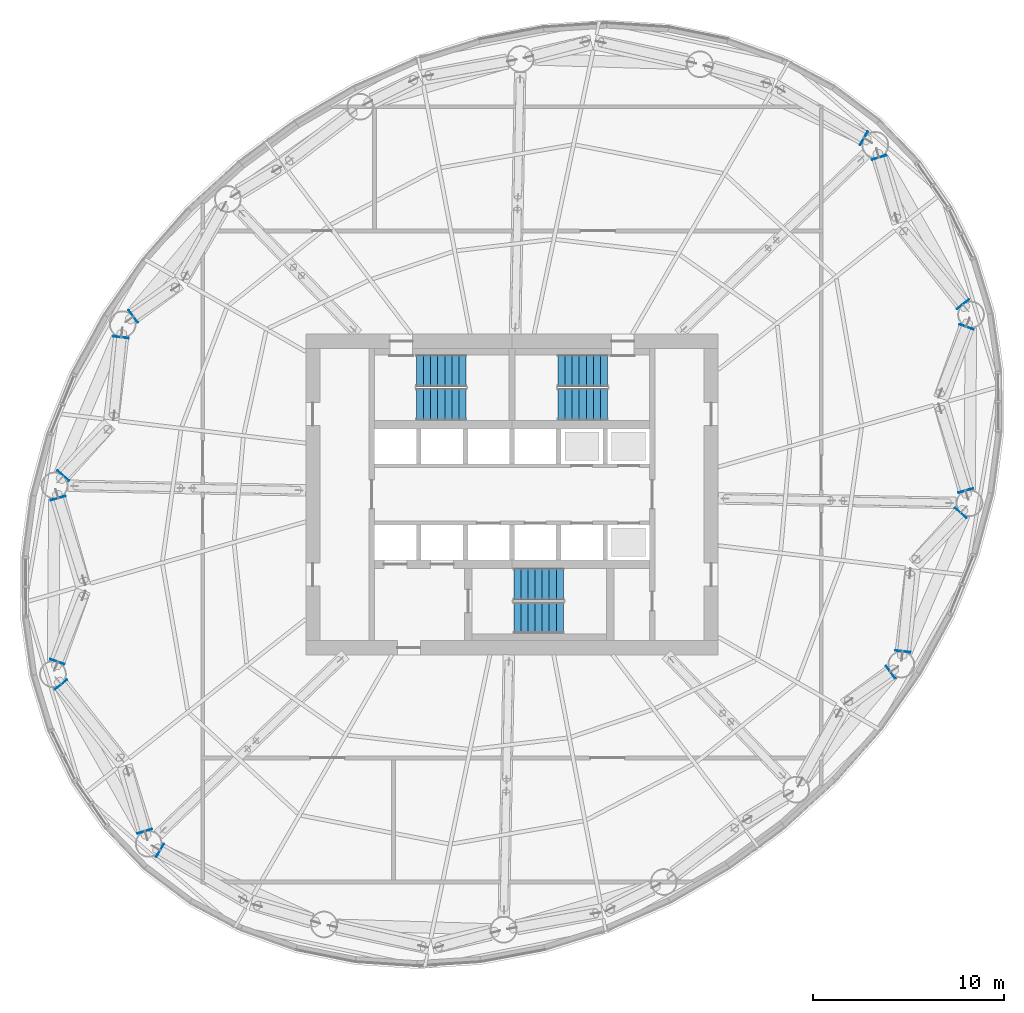
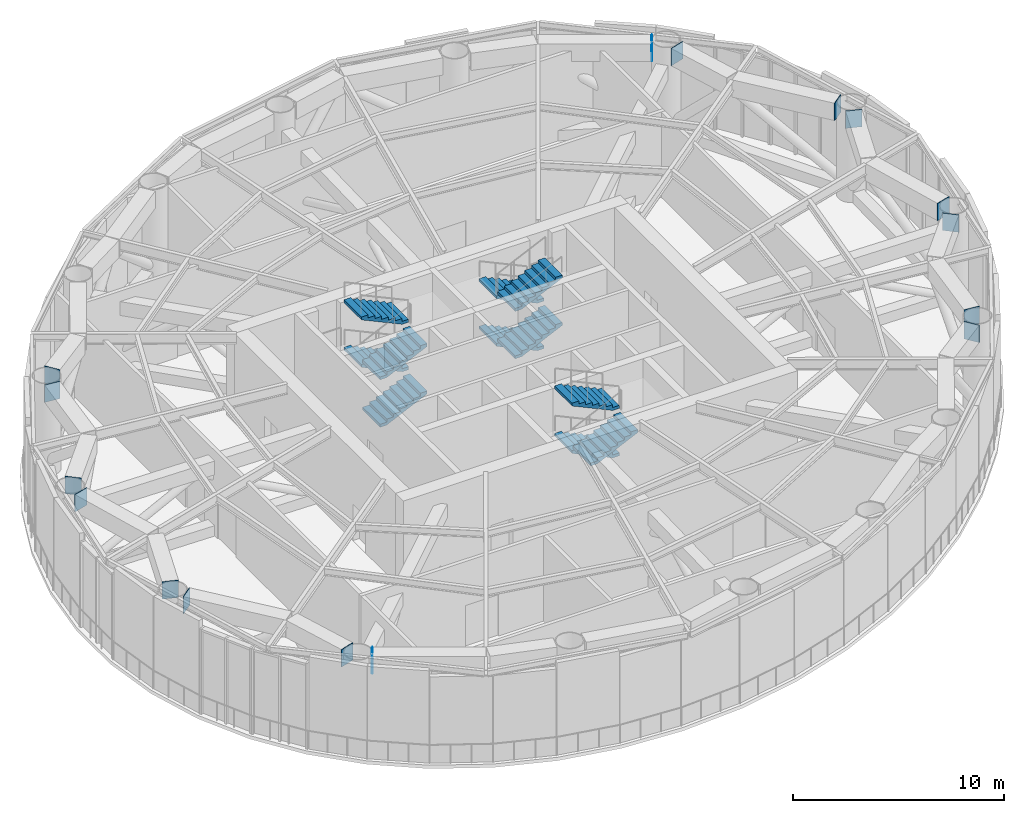
# One storey, part 10 of 19: 16 discrete accessories, 11 stair flights, 3 elements without a shape of their own.
"""IFC4 building model written with IfcOpenShell, lengths in metres."""

import ifcopenshell
import ifcopenshell.guid

model = None  # the IFC model being written
_history = None  # IfcOwnerHistory: only IFC2X3 demands one
_inside = {}  # id of a spatial element -> (the spatial element, [elements in it])
_under = {}  # id of a project, library or spatial element -> (it, [spatial elements below it])
_declared = {}  # id of a project -> (the project, [libraries it declares])
_typed = {}  # id of a type object -> (the type object, [elements of that type])
_made_of = {}  # id of a material, layer set ... -> (it, [elements and type objects made of it])


def new_model(schema):
    """Start an empty IFC model of exactly this schema.

    Asked for "IFC4X3", IfcOpenShell would pick the latest addendum, in which some entities
    have other attributes; the version numbers below select the first issue.
    IFC2X3 requires an IfcOwnerHistory on every rooted entity: one is made here for all.
    """
    global model, _history
    if schema == "IFC4X3":
        model = ifcopenshell.file(schema_version=(4, 3, 0, 0))
    else:
        model = ifcopenshell.file(schema=schema)
    _inside.clear()
    _under.clear()
    _declared.clear()
    _typed.clear()
    _made_of.clear()
    _history = None
    if model.schema == "IFC2X3":
        org = make("IfcOrganization", Name="unknown")
        user = make(
            "IfcPersonAndOrganization",
            ThePerson=make("IfcPerson", FamilyName="unknown"),
            TheOrganization=org,
        )
        app = make(
            "IfcApplication",
            ApplicationDeveloper=org,
            Version="unknown",
            ApplicationFullName="unknown",
            ApplicationIdentifier="unknown",
        )
        _history = make(
            "IfcOwnerHistory",
            OwningUser=user,
            OwningApplication=app,
            ChangeAction="ADDED",
            CreationDate=0,
        )
    return model


def make(cls, **values):
    """One entity of the class cls with the attributes given. An attribute that is None is left unset."""
    return model.create_entity(
        cls, **{name: value for name, value in values.items() if value is not None}
    )


def rooted(cls, **values):
    """An entity with a GlobalId (a new one), such as an element, a storey or a relation."""
    return make(cls, GlobalId=ifcopenshell.guid.new(), OwnerHistory=_history, **values)


def si_unit(unit_type, name, prefix=None):
    """IfcSIUnit, for example si_unit("LENGTHUNIT", "METRE", prefix="MILLI")."""
    return make("IfcSIUnit", UnitType=unit_type, Prefix=prefix, Name=name)


def assignment(units):
    """IfcUnitAssignment: the units of a project."""
    return None if units is None else make("IfcUnitAssignment", Units=units)


def point(xyz):
    """IfcCartesianPoint."""
    return None if xyz is None else make("IfcCartesianPoint", Coordinates=xyz)


def direction(xyz):
    """IfcDirection."""
    return None if xyz is None else make("IfcDirection", DirectionRatios=xyz)


def frame(location, z_axis=None, x_axis=None):
    """IfcAxis2Placement3D, a coordinate frame: its origin and axes. An axis left out is left unset."""
    return make(
        "IfcAxis2Placement3D",
        Location=point(location),
        Axis=direction(z_axis),
        RefDirection=direction(x_axis),
    )


def frame_2d(location, x_axis=None):
    """IfcAxis2Placement2D, a coordinate frame in the plane: its origin and x axis."""
    return make(
        "IfcAxis2Placement2D", Location=point(location), RefDirection=direction(x_axis)
    )


def origin():
    """The frame at (0, 0, 0) with its axes left unset."""
    return frame((0.0, 0.0, 0.0))


def origin_2d():
    """The frame at (0, 0) in the plane with its x axis left unset."""
    return frame_2d((0.0, 0.0))


def place(relative_to, where):
    """IfcLocalPlacement: puts the frame where relative to a parent placement (None: the world)."""
    return make(
        "IfcLocalPlacement", PlacementRelTo=relative_to, RelativePlacement=where
    )


def context(
    kind, dimensions, precision=None, world=None, true_north=None, identifier=None
):
    """IfcGeometricRepresentationContext, for example the 3D "Model" context."""
    return make(
        "IfcGeometricRepresentationContext",
        ContextIdentifier=identifier,
        ContextType=kind,
        CoordinateSpaceDimension=dimensions,
        Precision=precision,
        WorldCoordinateSystem=world,
        TrueNorth=true_north,
    )


def subcontext(parent, identifier, kind, view, scale=None):
    """IfcGeometricRepresentationSubContext, for example "Body" below "Model"."""
    return make(
        "IfcGeometricRepresentationSubContext",
        ContextIdentifier=identifier,
        ContextType=kind,
        ParentContext=parent,
        TargetScale=scale,
        TargetView=view,
    )


def project(units=None, contexts=None):
    """IfcProject with its units and contexts."""
    return rooted(
        "IfcProject",
        Name="project",
        RepresentationContexts=contexts,
        UnitsInContext=assignment(units),
    )


def spatial(cls, under=None, at=None, **own):
    """A site, building, storey or space (cls), placed at a placement, below another one or the project."""
    s = rooted(cls, ObjectPlacement=at, **own)
    if under is not None:
        _under.setdefault(under.id(), (under, []))[1].append(s)
    return s


def polyline(points):
    """IfcPolyline through the points."""
    return make("IfcPolyline", Points=[point(p) for p in points])


def profile(cls, at=None, kind="AREA", **sizes):
    """A parametric profile (cls). Its sizes go by their IFC names, for example OverallWidth=200.0."""
    return make(cls, ProfileType=kind, Position=at, **sizes)


def rectangle(**sizes):
    """IfcRectangleProfileDef."""
    return profile("IfcRectangleProfileDef", **sizes)


def outline(outer, holes=None, kind="AREA"):
    """IfcArbitraryClosedProfileDef: a profile drawn as a closed curve; with holes, ...WithVoids."""
    if holes is None:
        return make("IfcArbitraryClosedProfileDef", ProfileType=kind, OuterCurve=outer)
    return make(
        "IfcArbitraryProfileDefWithVoids",
        ProfileType=kind,
        OuterCurve=outer,
        InnerCurves=holes,
    )


def extrude(swept, where, along, depth):
    """IfcExtrudedAreaSolid: the profile swept, set in the frame where, extruded along a direction by depth."""
    return make(
        "IfcExtrudedAreaSolid",
        SweptArea=swept,
        Position=where,
        ExtrudedDirection=direction(along),
        Depth=depth,
    )


def shape(context_of_items, identifier, shape_type, items):
    """IfcShapeRepresentation: the items that make up one representation, for example the "Body"."""
    return make(
        "IfcShapeRepresentation",
        ContextOfItems=context_of_items,
        RepresentationIdentifier=identifier,
        RepresentationType=shape_type,
        Items=items,
    )


def material(Name=None, Category=None):
    """IfcMaterial."""
    return make("IfcMaterial", Name=Name, Category=Category)


def made_of(thing, what):
    """Note that an element or type object is made of a material, layer set ...; save() writes the relation."""
    if what is not None:
        _made_of.setdefault(what.id(), (what, []))[1].append(thing)
    return thing


def type_object(cls, material=None, **own):
    """A type object (cls), such as IfcWallType, which elements share."""
    return made_of(rooted(cls, **own), material)


def element(
    cls,
    number,
    at=None,
    inside=None,
    cuts=None,
    type_object=None,
    material=None,
    context=None,
    identifier="Body",
    shape_type=None,
    held_by="IfcProductDefinitionShape",
    body=None,
    shapes=None,
    **own,
):
    """One element of the class cls, such as IfcWall. Its Tag is "e" and its number.

    at: its placement. inside: the storey or other place that contains it. cuts: it is an
    opening in that element (IfcRelVoidsElement). A single representation is given by context,
    identifier, shape_type and body (its items); several are given by shapes. held_by: the class
    of the entity that holds the representations. save() writes the other relations.
    """
    e = rooted(cls, Tag="e%d" % number, ObjectPlacement=at, **own)
    if body is not None:
        shapes = [shape(context, identifier, shape_type, body)]
    if shapes is not None:
        e.Representation = make(held_by, Representations=shapes)
    if inside is not None:
        _inside.setdefault(inside.id(), (inside, []))[1].append(e)
    if cuts is not None:
        rooted(
            "IfcRelVoidsElement", RelatingBuildingElement=cuts, RelatedOpeningElement=e
        )
    if type_object is not None:
        _typed.setdefault(type_object.id(), (type_object, []))[1].append(e)
    return made_of(e, material)


def aggregate(whole, parts):
    """IfcRelAggregates: a whole, such as a stair, and the parts it consists of."""
    return rooted("IfcRelAggregates", RelatingObject=whole, RelatedObjects=parts)


def save(model, path):
    """Write the relations noted so far, then the file.

    IfcRelAggregates (storeys below a building ...), IfcRelContainedInSpatialStructure (elements
    in a storey), IfcRelDefinesByType, IfcRelAssociatesMaterial and IfcRelDeclares: one each for
    every whole, place, type object, material and project.
    """
    for whole, parts in _under.values():
        aggregate(whole, parts)
    for where, things in _inside.values():
        rooted(
            "IfcRelContainedInSpatialStructure",
            RelatedElements=things,
            RelatingStructure=where,
        )
    for kind, things in _typed.values():
        rooted("IfcRelDefinesByType", RelatedObjects=things, RelatingType=kind)
    for what, things in _made_of.values():
        rooted("IfcRelAssociatesMaterial", RelatedObjects=things, RelatingMaterial=what)
    for by, libraries in _declared.values():
        rooted("IfcRelDeclares", RelatingContext=by, RelatedDefinitions=libraries)
    model.write(path)


model = new_model("IFC4")

# Units and contexts
model_context = context("Model", 3, precision=1e-05, world=origin(), true_north=direction((0.0, 1.0)))
body_context = subcontext(model_context, "Body", "Model", "MODEL_VIEW")
ifc_project = project(units=[si_unit("LENGTHUNIT", "METRE"), si_unit("AREAUNIT", "SQUARE_METRE"), si_unit("VOLUMEUNIT", "CUBIC_METRE"), si_unit("PLANEANGLEUNIT", "RADIAN"), si_unit("MASSUNIT", "GRAM", prefix="KILO")], contexts=[model_context])

# Site, building, storey
site_placement = place(None, origin())
site = spatial("IfcSite", under=ifc_project, at=site_placement, CompositionType="ELEMENT")
building_placement = place(site_placement, origin())
building = spatial("IfcBuilding", under=site, at=building_placement, Name="Vermilion Reach Broadcast Tower", CompositionType="ELEMENT")
storey_placement = place(building_placement, frame((0.0, 0.0, 190.199951171875)))
storey = spatial("IfcBuildingStorey", under=building, at=storey_placement, Name="L46", CompositionType="ELEMENT", Elevation=190.199951171875)

# Stair, stair flights
ifc_material_1 = material(Name="Concrete C40", Category="concrete")
stair_type = type_object("IfcStairType", Name="Exit stair RC 32 risers 172 mm", PredefinedType="HALF_TURN_STAIR", material=ifc_material_1)
placement = place(storey_placement, origin())
stair_1 = element("IfcStair", 1, at=placement, inside=storey, type_object=stair_type, Name="L46 Exit stair ST1", PredefinedType="HALF_TURN_STAIR")
ifc_material_2 = material(Name="Concrete C40", Category="concrete")
stair_flight_type = type_object("IfcStairFlightType", Name="Exit stair flight RC 8 risers", PredefinedType="STRAIGHT", material=ifc_material_2)
stair_flight_1_placement = place(storey_placement, frame((-11.0, 4.7099609375, 0.0), z_axis=(0.0, 0.0, 1.0), x_axis=(1.0, 0.0, 0.0)))
stair_flight_1 = element("IfcStairFlight", 2, at=stair_flight_1_placement, type_object=stair_flight_type, Name="ST1 flight 1", NumberOfRisers=8, NumberOfTreads=7, PredefinedType="STRAIGHT", RiserHeight=0.171875, TreadLength=0.37, context=body_context, shape_type="SweptSolid", body=[
    extrude(outline(polyline([(0.0, 0.0), (0.0, 0.171875), (0.3701171875, 0.171875), (0.3701171875, 0.34375), (0.739990234375, 0.34375), (0.739990234375, 0.515625), (1.110107421875, 0.515625), (1.110107421875, 0.6875), (1.47998046875, 0.6875), (1.47998046875, 0.859375), (1.85009765625, 0.859375), (1.85009765625, 1.03125), (2.219970703125, 1.03125), (2.219970703125, 1.203125), (2.590087890625, 1.203125), (2.590087890625, 1.375), (2.590087890625, 1.037841796875), (0.355712890625, 0.0), (0.0, 0.0)])), frame((0.0, 0.830078125, 0.0), z_axis=(0.0, -1.0, 0.0), x_axis=(1.0, 0.0, 0.0)), (0.0, 0.0, 1.0), 1.659912109375),
])
stair_flight_2_placement = place(storey_placement, frame((-8.409912109375, 6.469970703125, 1.375), z_axis=(0.0, 0.0, 1.0), x_axis=(-1.0, 0.0, 0.0)))
stair_flight_2 = element("IfcStairFlight", 3, at=stair_flight_2_placement, type_object=stair_flight_type, Name="ST1 flight 2", NumberOfRisers=8, NumberOfTreads=7, PredefinedType="STRAIGHT", RiserHeight=0.171875, TreadLength=0.37, context=body_context, shape_type="SweptSolid", body=[
    extrude(outline(polyline([(0.0, 0.0), (0.0, 0.171875), (0.3701171875, 0.171875), (0.3701171875, 0.34375), (0.739990234375, 0.34375), (0.739990234375, 0.515625), (1.110107421875, 0.515625), (1.110107421875, 0.6875), (1.47998046875, 0.6875), (1.47998046875, 0.859375), (1.85009765625, 0.859375), (1.85009765625, 1.03125), (2.219970703125, 1.03125), (2.219970703125, 1.203125), (2.590087890625, 1.203125), (2.590087890625, 1.375), (2.590087890625, 1.037841796875), (0.355712890625, 0.0), (0.0, 0.0)])), frame((0.0, 0.830078125, 0.0), z_axis=(0.0, -1.0, 0.0), x_axis=(1.0, 0.0, 0.0)), (0.0, 0.0, 1.0), 1.659912109375),
])
stair_flight_3_placement = place(storey_placement, frame((-11.0, 4.7099609375, 2.75), z_axis=(0.0, 0.0, 1.0), x_axis=(1.0, 0.0, 0.0)))
stair_flight_3 = element("IfcStairFlight", 4, at=stair_flight_3_placement, type_object=stair_flight_type, Name="ST1 flight 3", NumberOfRisers=8, NumberOfTreads=7, PredefinedType="STRAIGHT", RiserHeight=0.171875, TreadLength=0.37, context=body_context, shape_type="SweptSolid", body=[
    extrude(outline(polyline([(0.0, 0.0), (0.0, 0.171875), (0.3701171875, 0.171875), (0.3701171875, 0.34375), (0.739990234375, 0.34375), (0.739990234375, 0.515625), (1.110107421875, 0.515625), (1.110107421875, 0.6875), (1.47998046875, 0.6875), (1.47998046875, 0.859375), (1.85009765625, 0.859375), (1.85009765625, 1.03125), (2.219970703125, 1.03125), (2.219970703125, 1.203125), (2.590087890625, 1.203125), (2.590087890625, 1.375), (2.590087890625, 1.037841796875), (0.355712890625, 0.0), (0.0, 0.0)])), frame((0.0, 0.830078125, 0.0), z_axis=(0.0, -1.0, 0.0), x_axis=(1.0, 0.0, 0.0)), (0.0, 0.0, 1.0), 1.659912109375),
])
stair_flight_4_placement = place(storey_placement, frame((-8.409912109375, 6.469970703125, 4.125), z_axis=(0.0, 0.0, 1.0), x_axis=(-1.0, 0.0, 0.0)))
stair_flight_4 = element("IfcStairFlight", 5, at=stair_flight_4_placement, type_object=stair_flight_type, Name="ST1 flight 4", NumberOfRisers=8, NumberOfTreads=7, PredefinedType="STRAIGHT", RiserHeight=0.171875, TreadLength=0.37, context=body_context, shape_type="SweptSolid", body=[
    extrude(outline(polyline([(0.0, 0.0), (0.0, 0.171875), (0.3701171875, 0.171875), (0.3701171875, 0.34375), (0.739990234375, 0.34375), (0.739990234375, 0.515625), (1.110107421875, 0.515625), (1.110107421875, 0.6875), (1.47998046875, 0.6875), (1.47998046875, 0.859375), (1.85009765625, 0.859375), (1.85009765625, 1.03125), (2.219970703125, 1.03125), (2.219970703125, 1.203125), (2.590087890625, 1.203125), (2.590087890625, 1.375), (2.590087890625, 1.037841796875), (0.355712890625, 0.0), (0.0, 0.0)])), frame((0.0, 0.830078125, 0.0), z_axis=(0.0, -1.0, 0.0), x_axis=(1.0, 0.0, 0.0)), (0.0, 0.0, 1.0), 1.659912109375),
])
aggregate(stair_1, [stair_flight_1, stair_flight_2, stair_flight_3, stair_flight_4])

stair_2 = element("IfcStair", 6, at=placement, inside=storey, type_object=stair_type, Name="L46 Exit stair ST2", PredefinedType="HALF_TURN_STAIR")
stair_flight_5_placement = place(storey_placement, frame((-1.0, 6.469970703125, 0.0), z_axis=(0.0, 0.0, 1.0), x_axis=(-1.0, 0.0, 0.0)))
stair_flight_5 = element("IfcStairFlight", 7, at=stair_flight_5_placement, type_object=stair_flight_type, Name="ST2 flight 1", NumberOfRisers=8, NumberOfTreads=7, PredefinedType="STRAIGHT", RiserHeight=0.171875, TreadLength=0.37, context=body_context, shape_type="SweptSolid", body=[
    extrude(outline(polyline([(0.0, 0.0), (0.0, 0.171875), (0.3701171875, 0.171875), (0.3701171875, 0.34375), (0.739990234375, 0.34375), (0.739990234375, 0.515625), (1.110107421875, 0.515625), (1.110107421875, 0.6875), (1.47998046875, 0.6875), (1.47998046875, 0.859375), (1.85009765625, 0.859375), (1.85009765625, 1.03125), (2.219970703125, 1.03125), (2.219970703125, 1.203125), (2.590087890625, 1.203125), (2.590087890625, 1.375), (2.590087890625, 1.037841796875), (0.355712890625, 0.0), (0.0, 0.0)])), frame((0.0, 0.830078125, 0.0), z_axis=(0.0, -1.0, 0.0), x_axis=(1.0, 0.0, 0.0)), (0.0, 0.0, 1.0), 1.659912109375),
])
stair_flight_6_placement = place(storey_placement, frame((-3.590087890625, 4.7099609375, 1.375), z_axis=(0.0, 0.0, 1.0), x_axis=(1.0, 0.0, 0.0)))
stair_flight_6 = element("IfcStairFlight", 8, at=stair_flight_6_placement, type_object=stair_flight_type, Name="ST2 flight 2", NumberOfRisers=8, NumberOfTreads=7, PredefinedType="STRAIGHT", RiserHeight=0.171875, TreadLength=0.37, context=body_context, shape_type="SweptSolid", body=[
    extrude(outline(polyline([(0.0, 0.0), (0.0, 0.171875), (0.3701171875, 0.171875), (0.3701171875, 0.34375), (0.739990234375, 0.34375), (0.739990234375, 0.515625), (1.110107421875, 0.515625), (1.110107421875, 0.6875), (1.47998046875, 0.6875), (1.47998046875, 0.859375), (1.85009765625, 0.859375), (1.85009765625, 1.03125), (2.219970703125, 1.03125), (2.219970703125, 1.203125), (2.590087890625, 1.203125), (2.590087890625, 1.375), (2.590087890625, 1.037841796875), (0.355712890625, 0.0), (0.0, 0.0)])), frame((0.0, 0.830078125, 0.0), z_axis=(0.0, -1.0, 0.0), x_axis=(1.0, 0.0, 0.0)), (0.0, 0.0, 1.0), 1.659912109375),
])
stair_flight_7_placement = place(storey_placement, frame((-1.0, 6.469970703125, 2.75), z_axis=(0.0, 0.0, 1.0), x_axis=(-1.0, 0.0, 0.0)))
stair_flight_7 = element("IfcStairFlight", 9, at=stair_flight_7_placement, type_object=stair_flight_type, Name="ST2 flight 3", NumberOfRisers=8, NumberOfTreads=7, PredefinedType="STRAIGHT", RiserHeight=0.171875, TreadLength=0.37, context=body_context, shape_type="SweptSolid", body=[
    extrude(outline(polyline([(0.0, 0.0), (0.0, 0.171875), (0.3701171875, 0.171875), (0.3701171875, 0.34375), (0.739990234375, 0.34375), (0.739990234375, 0.515625), (1.110107421875, 0.515625), (1.110107421875, 0.6875), (1.47998046875, 0.6875), (1.47998046875, 0.859375), (1.85009765625, 0.859375), (1.85009765625, 1.03125), (2.219970703125, 1.03125), (2.219970703125, 1.203125), (2.590087890625, 1.203125), (2.590087890625, 1.375), (2.590087890625, 1.037841796875), (0.355712890625, 0.0), (0.0, 0.0)])), frame((0.0, 0.830078125, 0.0), z_axis=(0.0, -1.0, 0.0), x_axis=(1.0, 0.0, 0.0)), (0.0, 0.0, 1.0), 1.659912109375),
])
stair_flight_8_placement = place(storey_placement, frame((-3.590087890625, 4.7099609375, 4.125), z_axis=(0.0, 0.0, 1.0), x_axis=(1.0, 0.0, 0.0)))
stair_flight_8 = element("IfcStairFlight", 10, at=stair_flight_8_placement, type_object=stair_flight_type, Name="ST2 flight 4", NumberOfRisers=8, NumberOfTreads=7, PredefinedType="STRAIGHT", RiserHeight=0.171875, TreadLength=0.37, context=body_context, shape_type="SweptSolid", body=[
    extrude(outline(polyline([(0.0, 0.0), (0.0, 0.171875), (0.3701171875, 0.171875), (0.3701171875, 0.34375), (0.739990234375, 0.34375), (0.739990234375, 0.515625), (1.110107421875, 0.515625), (1.110107421875, 0.6875), (1.47998046875, 0.6875), (1.47998046875, 0.859375), (1.85009765625, 0.859375), (1.85009765625, 1.03125), (2.219970703125, 1.03125), (2.219970703125, 1.203125), (2.590087890625, 1.203125), (2.590087890625, 1.375), (2.590087890625, 1.037841796875), (0.355712890625, 0.0), (0.0, 0.0)])), frame((0.0, 0.830078125, 0.0), z_axis=(0.0, -1.0, 0.0), x_axis=(1.0, 0.0, 0.0)), (0.0, 0.0, 1.0), 1.659912109375),
])
aggregate(stair_2, [stair_flight_5, stair_flight_6, stair_flight_7, stair_flight_8])

stair_3 = element("IfcStair", 11, at=placement, inside=storey, type_object=stair_type, Name="L46 Exit stair ST3", PredefinedType="HALF_TURN_STAIR")
stair_flight_9_placement = place(storey_placement, frame((-3.31005859375, -4.7099609375, 1.375), z_axis=(0.0, 0.0, 1.0), x_axis=(-1.0, 0.0, 0.0)))
stair_flight_9 = element("IfcStairFlight", 12, at=stair_flight_9_placement, type_object=stair_flight_type, Name="ST3 flight 2", NumberOfRisers=8, NumberOfTreads=7, PredefinedType="STRAIGHT", RiserHeight=0.171875, TreadLength=0.37, context=body_context, shape_type="SweptSolid", body=[
    extrude(outline(polyline([(0.0, 0.0), (0.0, 0.171875), (0.3701171875, 0.171875), (0.3701171875, 0.34375), (0.739990234375, 0.34375), (0.739990234375, 0.515625), (1.110107421875, 0.515625), (1.110107421875, 0.6875), (1.47998046875, 0.6875), (1.47998046875, 0.859375), (1.85009765625, 0.859375), (1.85009765625, 1.03125), (2.219970703125, 1.03125), (2.219970703125, 1.203125), (2.590087890625, 1.203125), (2.590087890625, 1.375), (2.590087890625, 1.037841796875), (0.355712890625, 0.0), (0.0, 0.0)])), frame((0.0, 0.830078125, 0.0), z_axis=(0.0, -1.0, 0.0), x_axis=(1.0, 0.0, 0.0)), (0.0, 0.0, 1.0), 1.659912109375),
])
stair_flight_10_placement = place(storey_placement, frame((-5.89990234375, -6.469970703125, 2.75), z_axis=(0.0, 0.0, 1.0), x_axis=(1.0, 0.0, 0.0)))
stair_flight_10 = element("IfcStairFlight", 13, at=stair_flight_10_placement, type_object=stair_flight_type, Name="ST3 flight 3", NumberOfRisers=8, NumberOfTreads=7, PredefinedType="STRAIGHT", RiserHeight=0.171875, TreadLength=0.37, context=body_context, shape_type="SweptSolid", body=[
    extrude(outline(polyline([(0.0, 0.0), (0.0, 0.171875), (0.3701171875, 0.171875), (0.3701171875, 0.34375), (0.739990234375, 0.34375), (0.739990234375, 0.515625), (1.110107421875, 0.515625), (1.110107421875, 0.6875), (1.47998046875, 0.6875), (1.47998046875, 0.859375), (1.85009765625, 0.859375), (1.85009765625, 1.03125), (2.219970703125, 1.03125), (2.219970703125, 1.203125), (2.590087890625, 1.203125), (2.590087890625, 1.375), (2.590087890625, 1.037841796875), (0.355712890625, 0.0), (0.0, 0.0)])), frame((0.0, 0.830078125, 0.0), z_axis=(0.0, -1.0, 0.0), x_axis=(1.0, 0.0, 0.0)), (0.0, 0.0, 1.0), 1.659912109375),
])
stair_flight_11_placement = place(storey_placement, frame((-3.31005859375, -4.7099609375, 4.125), z_axis=(0.0, 0.0, 1.0), x_axis=(-1.0, 0.0, 0.0)))
stair_flight_11 = element("IfcStairFlight", 14, at=stair_flight_11_placement, type_object=stair_flight_type, Name="ST3 flight 4", NumberOfRisers=8, NumberOfTreads=7, PredefinedType="STRAIGHT", RiserHeight=0.171875, TreadLength=0.37, context=body_context, shape_type="SweptSolid", body=[
    extrude(outline(polyline([(0.0, 0.0), (0.0, 0.171875), (0.3701171875, 0.171875), (0.3701171875, 0.34375), (0.739990234375, 0.34375), (0.739990234375, 0.515625), (1.110107421875, 0.515625), (1.110107421875, 0.6875), (1.47998046875, 0.6875), (1.47998046875, 0.859375), (1.85009765625, 0.859375), (1.85009765625, 1.03125), (2.219970703125, 1.03125), (2.219970703125, 1.203125), (2.590087890625, 1.203125), (2.590087890625, 1.375), (2.590087890625, 1.037841796875), (0.355712890625, 0.0), (0.0, 0.0)])), frame((0.0, 0.830078125, 0.0), z_axis=(0.0, -1.0, 0.0), x_axis=(1.0, 0.0, 0.0)), (0.0, 0.0, 1.0), 1.659912109375),
])
aggregate(stair_3, [stair_flight_9, stair_flight_10, stair_flight_11])

# Discrete accessories
for number, where, z_axis, x_axis, name in (
    (15, (-25.832275390625, 9.320068359375, 4.35009765625), (0.0, 0.0, 1.0), (-0.805936968802, -0.592001353307, 0.0), "Belt chord end plate BT3-TC10"),
    (16, (-26.47021484375, 8.2265625, 4.35009765625), (0.0, 0.0, 1.0), (0.118590474612, 0.992943250811, 0.0), "Belt chord end plate BT3-TC11"),
    (17, (-29.499267578125, 0.978271484375, 4.35009765625), (0.0, 0.0, 1.0), (-0.666937954659, -0.745113256247, 0.0), "Belt chord end plate BT3-TC12"),
    (18, (-29.76953125, -0.19921875, 4.35009765625), (0.0, 0.0, 1.0), (-0.275164171348, 0.96139725338, 0.0), "Belt chord end plate BT3-TC13"),
    (19, (-29.807861328125, -8.766845703125, 4.35009765625), (0.0, 0.0, 1.0), (-0.337120177629, -0.941461622073, 0.0), "Belt chord end plate BT3-TC14"),
    (20, (-29.61328125, -9.958251953125, 4.35009765625), (0.0, 0.0, 1.0), (-0.619179654806, 0.785249358532, 0.0), "Belt chord end plate BT3-TC15"),
    (21, (-25.23046875, -17.6435546875, 4.35009765625), (0.0, 0.0, 1.0), (0.296296982581, -0.955095858076, 0.0), "Belt chord end plate BT3-TC16"),
    (22, (-24.427978515625, -18.647216796875, 4.35009765625), (0.0, 0.0, 1.0), (-0.866413496342, 0.499327200697, 0.0), "Belt chord end plate BT3-TC17"),
    (23, (13.832275390625, -9.320068359375, 4.35009765625), (0.0, 0.0, 1.0), (0.805936968802, 0.592001353307, 0.0), "Belt chord end plate BT3-TC26"),
    (24, (14.47021484375, -8.2265625, 4.35009765625), (0.0, 0.0, 1.0), (-0.118590474612, -0.992943250811, 0.0), "Belt chord end plate BT3-TC27"),
    (25, (17.499267578125, -0.978271484375, 4.35009765625), (0.0, 0.0, 1.0), (0.666937954659, 0.745113256247, 0.0), "Belt chord end plate BT3-TC28"),
    (26, (17.76953125, 0.19921875, 4.35009765625), (0.0, 0.0, 1.0), (0.275164171348, -0.96139725338, 0.0), "Belt chord end plate BT3-TC29"),
    (27, (17.807861328125, 8.766845703125, 4.35009765625), (0.0, 0.0, 1.0), (0.337120177629, 0.941461622073, 0.0), "Belt chord end plate BT3-TC30"),
    (28, (17.61328125, 9.958251953125, 4.35009765625), (0.0, 0.0, 1.0), (0.619179654806, -0.785249358532, 0.0), "Belt chord end plate BT3-TC31"),
    (29, (13.23046875, 17.6435546875, 4.35009765625), (0.0, 0.0, 1.0), (-0.296296982581, 0.955095858076, 0.0), "Belt chord end plate BT3-TC32"),
    (30, (12.427978515625, 18.647216796875, 4.35009765625), (0.0, 0.0, 1.0), (0.866413496342, -0.499327200697, 0.0), "Belt chord end plate BT3-TC01"),
):
    element("IfcDiscreteAccessory", number, at=place(storey_placement, frame(where, z_axis=z_axis, x_axis=x_axis)), inside=storey, Name=name, PredefinedType="NOTDEFINED", context=body_context, shape_type="SweptSolid", body=[
        extrude(rectangle(XDim=0.0400390625, YDim=0.800048828125, at=origin_2d()), origin(), (0.0, 0.0, 1.0), 1.0),
    ])

save(model, "model.ifc")
